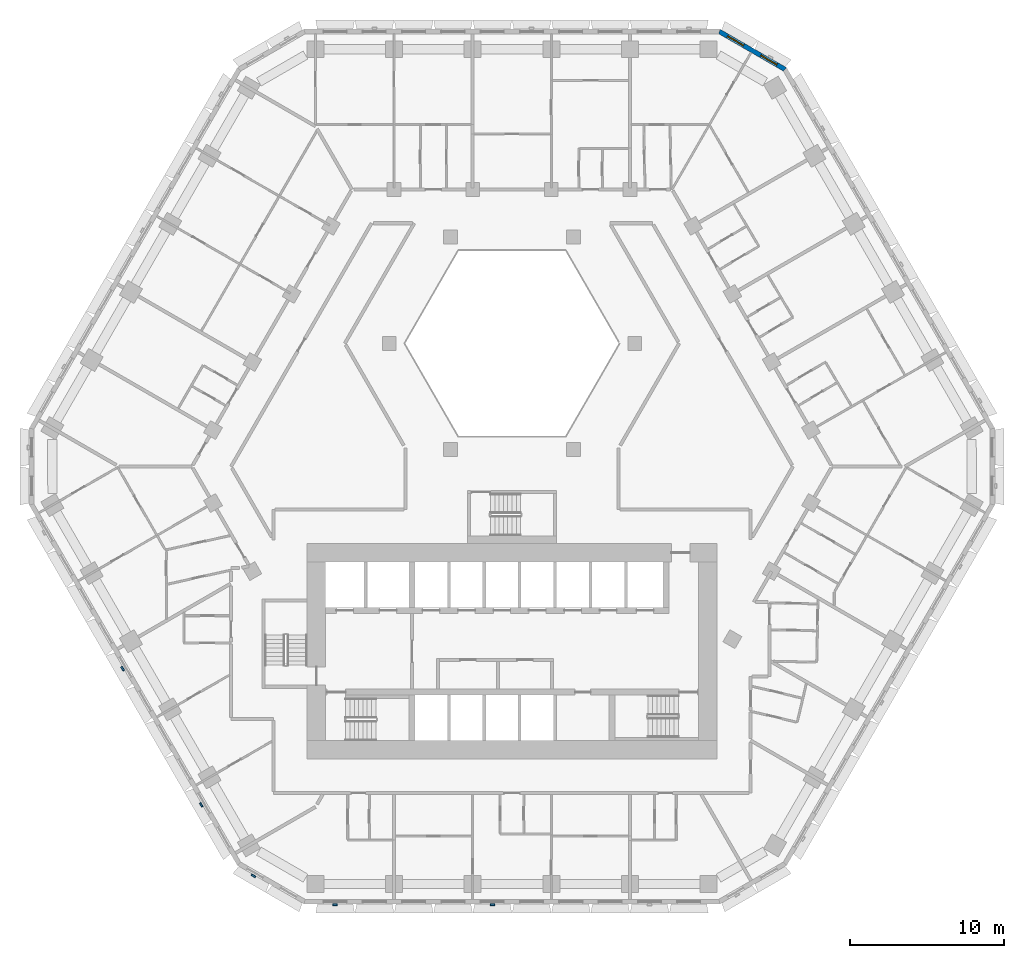
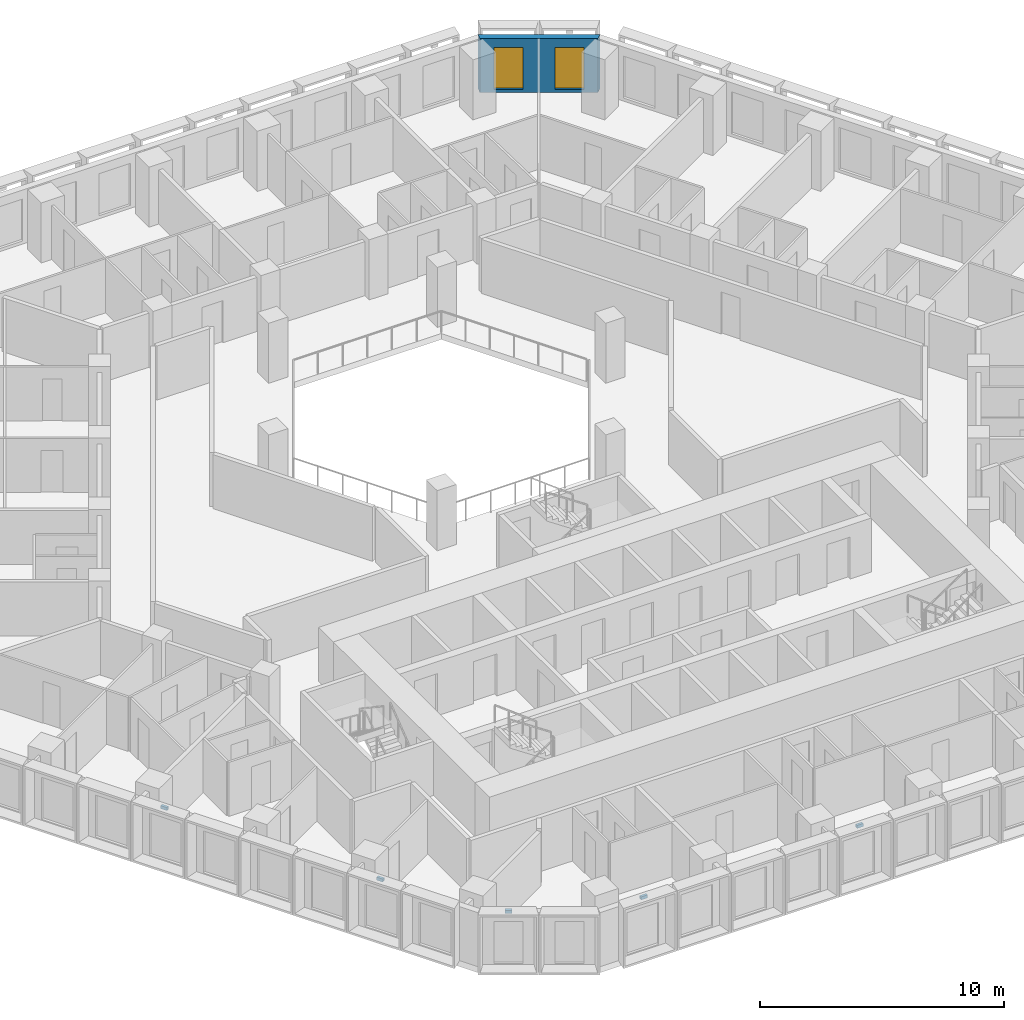
# One storey, part 12 of 21: 5 discrete accessories, 2 windows, 1 wall, 2 openings.
"""IFC4 building model written with IfcOpenShell, lengths in metres."""

from ifc_helpers import new_model, si_unit, direction, frame, frame_2d, origin, place, context, subcontext, project, spatial, polyline, rectangle, outline, extrude, source, transform, mapped, material, layer, layer_set, type_object, type_shapes, element, fill, save


model = new_model("IFC4")

# Units and contexts
model_context = context("Model", 3, precision=1e-05, world=origin(), true_north=direction((0.0, 1.0)))
body_context = subcontext(model_context, "Body", "Model", "MODEL_VIEW")
ifc_project = project(units=[si_unit("LENGTHUNIT", "METRE"), si_unit("AREAUNIT", "SQUARE_METRE"), si_unit("VOLUMEUNIT", "CUBIC_METRE"), si_unit("PLANEANGLEUNIT", "RADIAN"), si_unit("MASSUNIT", "GRAM", prefix="KILO")], contexts=[model_context])

# Site, building, storey
site_placement = place(None, origin())
site = spatial("IfcSite", under=ifc_project, at=site_placement, CompositionType="ELEMENT")
building_placement = place(site_placement, origin())
building = spatial("IfcBuilding", under=site, at=building_placement, Name="Beryl Residences", CompositionType="ELEMENT")
storey_placement = place(building_placement, frame((0.0, 0.0, 41.39990234375)))
storey = spatial("IfcBuildingStorey", under=building, at=storey_placement, Name="L12", CompositionType="ELEMENT", Elevation=41.39990234375)

# Wall, openings, windows
ifc_material_1 = material(Name="Composite metal panel with mineral wool insulation")
ifc_layer = layer(ifc_material_1, 0.300048828125)
ifc_layer_set = layer_set([ifc_layer], Name="ES1 pale metal composite panel wall 300 mm")
wall_type = type_object("IfcWallType", Name="ES1 pale metal composite panel wall 300 mm", PredefinedType="SOLIDWALL", material=ifc_layer_set)
wall_placement = place(storey_placement, frame((17.764892578125, 25.77001953125, 0.0), z_axis=(0.0, 0.0, 1.0), x_axis=(-0.866010750942, 0.50002537861, 0.0)))
wall = element("IfcWall", 1, at=wall_placement, inside=storey, type_object=wall_type, Name="ES1 external wall L12 NE-N", PredefinedType="SOLIDWALL", context=body_context, shape_type="SweptSolid", body=[
    extrude(outline(polyline([(0.0, -0.14990234375), (4.999755859375, -0.14990234375), (4.91943359375, 0.14990234375), (0.080322265625, 0.14990234375), (0.0, -0.14990234375)])), origin(), (0.0, 0.0, 1.0), 2.7001953125),
])
opening_1_placement = place(wall_placement, frame((0.64990234375, 0.0, 0.14990234375)))
opening_1 = element("IfcOpeningElement", 2, at=opening_1_placement, cuts=wall, Name="Opening W2", PredefinedType="OPENING", context=body_context, shape_type="SweptSolid", body=[
    extrude(rectangle(XDim=1.199951171875, YDim=2.10009765625, at=frame_2d((0.60009765625, 1.050048828125))), frame((0.0, 0.159912109375, 0.0), z_axis=(0.0, -1.0, 0.0), x_axis=(1.0, 0.0, 0.0)), (0.0, 0.0, 1.0), 0.320068359375),
])
opening_2_placement = place(wall_placement, frame((3.14990234375, 0.0, 0.14990234375)))
opening_2 = element("IfcOpeningElement", 3, at=opening_2_placement, cuts=wall, Name="Opening W2", PredefinedType="OPENING", context=body_context, shape_type="SweptSolid", body=[
    extrude(rectangle(XDim=1.199951171875, YDim=2.10009765625, at=frame_2d((0.60009765625, 1.050048828125))), frame((0.0, 0.159912109375, 0.0), z_axis=(0.0, -1.0, 0.0), x_axis=(1.0, 0.0, 0.0)), (0.0, 0.0, 1.0), 0.320068359375),
])
ifc_material_2 = material(Name="Aluminium and clear glass", Category="aluminium")
window_type = type_object("IfcWindowType", Name="W2 chamfer window 1200 x 2100 mm", PartitioningType="SINGLE_PANEL", PredefinedType="WINDOW", material=ifc_material_2)
window_1_placement = place(opening_1_placement, origin())
window_1 = element("IfcWindow", 4, at=window_1_placement, inside=storey, type_object=window_type, Name="W2 window L12 NE-N 1", OverallHeight=2.10009765625, OverallWidth=1.199951171875, PartitioningType="SINGLE_PANEL", PredefinedType="WINDOW", context=body_context, shape_type="SweptSolid", body=[
    extrude(rectangle(XDim=1.199951171875, YDim=2.10009765625, at=frame_2d((0.60009765625, 1.050048828125))), frame((0.0, 0.030029296875, 0.0), z_axis=(0.0, -1.0, 0.0), x_axis=(1.0, 0.0, 0.0)), (0.0, 0.0, 1.0), 0.06005859375),
])
fill(opening_1, window_1)
window_2_placement = place(opening_2_placement, origin())
window_2 = element("IfcWindow", 5, at=window_2_placement, inside=storey, type_object=window_type, Name="W2 window L12 NE-N 2", OverallHeight=2.10009765625, OverallWidth=1.199951171875, PartitioningType="SINGLE_PANEL", PredefinedType="WINDOW", context=body_context, shape_type="SweptSolid", body=[
    extrude(rectangle(XDim=1.199951171875, YDim=2.10009765625, at=frame_2d((0.60009765625, 1.050048828125))), frame((0.0, 0.030029296875, 0.0), z_axis=(0.0, -1.0, 0.0), x_axis=(1.0, 0.0, 0.0)), (0.0, 0.0, 1.0), 0.06005859375),
])
fill(opening_2, window_2)

# Discrete accessories
ifc_material_3 = material(Name="Steel S355", Category="steel")
discrete_accessory_type = type_object("IfcDiscreteAccessoryType", Name="BR1 frame bracket 300 x 120 x 150 mm", PredefinedType="BRACKET", material=ifc_material_3)
shared_shape = source(origin(), body_context, "Body", "SweptSolid", [
    extrude(outline(polyline([(-0.14990234375, 0.0), (0.14990234375, 0.0), (0.14990234375, 0.1201171875), (-0.14990234375, 0.1201171875), (-0.14990234375, 0.0)])), origin(), (0.0, 0.0, 1.0), 0.14990234375),
])
type_shapes(discrete_accessory_type, [shared_shape])
for number, where, z_axis, x_axis, name in (
    (6, (-25.23193359375, -13.095947265625, 2.75), (0.0, 0.0, 1.0), (-0.5, 0.866025403784, 0.0), "BR1 bracket L12 SW 5"),
    (7, (-20.12890625, -21.93603515625, 2.75), (0.0, 0.0, 1.0), (-0.5, 0.866025403784, 0.0), "BR1 bracket L12 SW 9"),
    (8, (-16.758056640625, -26.52490234375, 2.75), (0.0, 0.0, 1.0), (-0.866025403784, 0.5, 0.0), "BR1 bracket L12 SW-S 1"),
    (9, (-11.48291015625, -28.39990234375, 2.75), (0.0, 0.0, 1.0), (-1.0, 0.0, 0.0), "BR1 bracket L12 S 1"),
    (10, (-1.27490234375, -28.39990234375, 2.75), (0.0, 0.0, 1.0), (-1.0, 0.0, 0.0), "BR1 bracket L12 S 5"),
):
    element("IfcDiscreteAccessory", number, at=place(storey_placement, frame(where, z_axis=z_axis, x_axis=x_axis)), inside=storey, type_object=discrete_accessory_type, Name=name, PredefinedType="BRACKET", context=body_context, shape_type="MappedRepresentation", body=[
        mapped(shared_shape, transform((0.0, 0.0, 0.0))),
    ])

save(model, "model.ifc")
